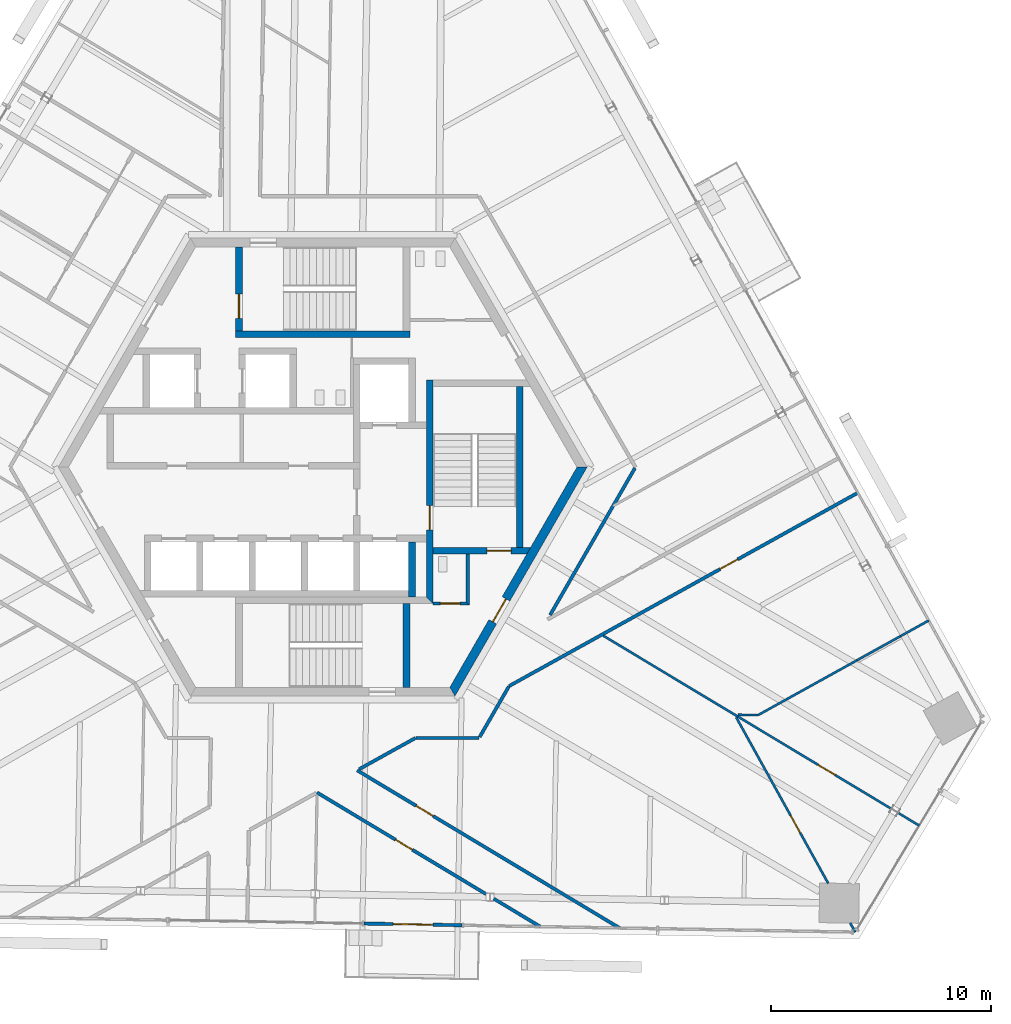
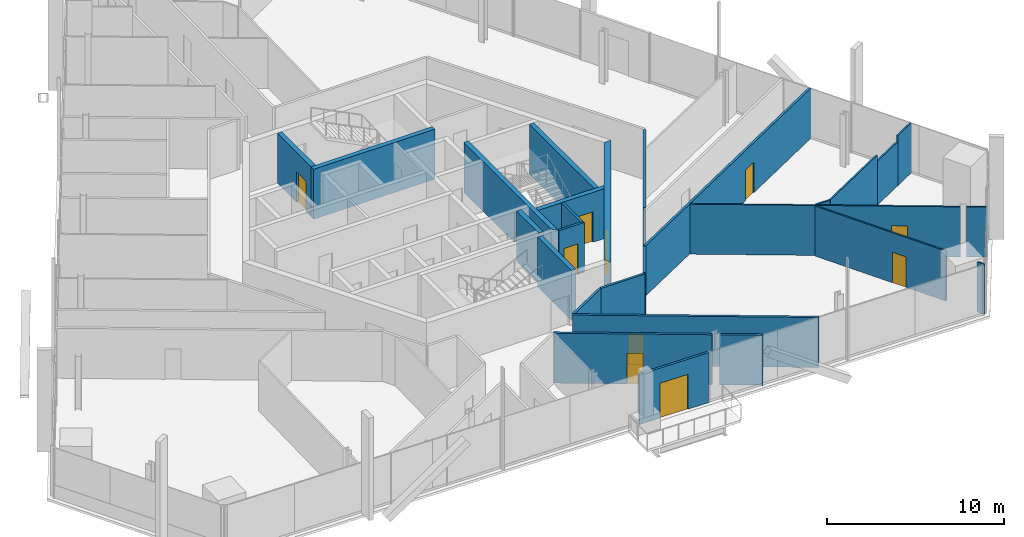
# One storey, part 13 of 21: 27 walls, 11 doors, 11 openings.
"""IFC4 building model written with IfcOpenShell, lengths in metres."""

from ifc_helpers import new_model, si_unit, direction, frame, frame_2d, origin, place, context, subcontext, project, spatial, polyline, rectangle, outline, extrude, source, transform, mapped, material, layer, layer_set, type_object, element, fill, save


model = new_model("IFC4")

# Units and contexts
model_context = context("Model", 3, precision=1e-05, world=origin(), true_north=direction((0.0, 1.0)))
body_context = subcontext(model_context, "Body", "Model", "MODEL_VIEW")
ifc_project = project(units=[si_unit("LENGTHUNIT", "METRE"), si_unit("AREAUNIT", "SQUARE_METRE"), si_unit("VOLUMEUNIT", "CUBIC_METRE"), si_unit("PLANEANGLEUNIT", "RADIAN"), si_unit("MASSUNIT", "GRAM", prefix="KILO")], contexts=[model_context])

# Site, building, storey
site_placement = place(None, origin())
site = spatial("IfcSite", under=ifc_project, at=site_placement, CompositionType="ELEMENT")
building_placement = place(site_placement, origin())
building = spatial("IfcBuilding", under=site, at=building_placement, Name="Triune Harvest Tower", CompositionType="ELEMENT")
storey_placement = place(building_placement, frame((0.0, 0.0, 187.10009765625)))
storey = spatial("IfcBuildingStorey", under=building, at=storey_placement, Name="L48", CompositionType="ELEMENT", Elevation=187.10009765625)

# Wall, opening, door
ifc_material_1 = material(Name="Gypsum board on steel studs", Category="steel")
ifc_layer_1 = layer(ifc_material_1, 0.10009765625)
ifc_layer_set_1 = layer_set([ifc_layer_1], Name="Gypsum board on steel studs")
wall_type_1 = type_object("IfcWallType", Name="Partition 100 mm", PredefinedType="PARTITIONING", material=ifc_layer_set_1)
wall_1_placement = place(storey_placement, frame((18.767333984375, -11.359130859375, 0.0), z_axis=(0.0, 0.0, 1.0), x_axis=(0.484802312537, -0.874623757829, 0.0)))
wall_1 = element("IfcWall", 1, at=wall_1_placement, inside=storey, type_object=wall_type_1, Name="Partition L48 002", PredefinedType="PARTITIONING", context=body_context, shape_type="SweptSolid", body=[
    extrude(rectangle(XDim=8.6083984375, YDim=0.10009765625, at=frame_2d((4.30419921875, 0.0))), origin(), (0.0, 0.0, 1.0), 3.43994140625),
])
opening_1_placement = place(wall_1_placement, frame((5.090087890625, 0.0, 0.0)))
opening_1 = element("IfcOpeningElement", 2, at=opening_1_placement, cuts=wall_1, Name="Opening L48-025", PredefinedType="OPENING", context=body_context, shape_type="SweptSolid", body=[
    extrude(rectangle(XDim=0.89990234375, YDim=2.10009765625, at=frame_2d((0.449951171875, 1.050048828125))), frame((0.0, 0.06005859375, 0.0), z_axis=(0.0, -1.0, 0.0), x_axis=(1.0, 0.0, 0.0)), (0.0, 0.0, 1.0), 0.1201171875),
])
ifc_material_2 = material(Name="Timber and steel door set", Category="steel")
door_type_1 = type_object("IfcDoorType", Name="Single leaf door right hand 900 x 2100", OperationType="SINGLE_SWING_RIGHT", PredefinedType="DOOR", material=ifc_material_2)
door_1_placement = place(opening_1_placement, origin())
door_1 = element("IfcDoor", 3, at=door_1_placement, inside=storey, type_object=door_type_1, Name="Door L48-025 Meeting Room 48.25", OperationType="SINGLE_SWING_RIGHT", OverallHeight=2.10009765625, OverallWidth=0.89990234375, PredefinedType="DOOR", context=body_context, shape_type="SweptSolid", body=[
    extrude(rectangle(XDim=0.89990234375, YDim=2.10009765625, at=frame_2d((0.449951171875, 1.050048828125))), frame((0.0, 0.02490234375, 0.0), z_axis=(0.0, -1.0, 0.0), x_axis=(1.0, 0.0, 0.0)), (0.0, 0.0, 1.0), 0.050048828125),
])
fill(opening_1, door_1)

# Walls
wall_2_placement = place(storey_placement, frame((23.93701171875, -20.685791015625, 0.0), z_axis=(0.0, 0.0, 1.0), x_axis=(0.484903678258, -0.87456756332, 0.0)))
element("IfcWall", 4, at=wall_2_placement, inside=storey, type_object=wall_type_1, Name="Partition L48 003", PredefinedType="PARTITIONING", context=body_context, shape_type="SweptSolid", body=[
    extrude(rectangle(XDim=0.476806640625, YDim=0.10009765625, at=frame_2d((0.23828125, 0.0))), origin(), (0.0, 0.0, 1.0), 3.43994140625),
])
wall_3_placement = place(storey_placement, frame((18.85009765625, -11.23876953125, 0.0), z_axis=(0.0, 0.0, 1.0), x_axis=(0.999846804146, -0.017503377934, 0.0)))
element("IfcWall", 5, at=wall_3_placement, inside=storey, type_object=wall_type_1, Name="Partition L48 029", PredefinedType="PARTITIONING", context=body_context, shape_type="SweptSolid", body=[
    extrude(rectangle(XDim=0.90673828125, YDim=0.10009765625, at=frame_2d((0.453369140625, 0.0))), origin(), (0.0, 0.0, 1.0), 3.43994140625),
])
wall_4_placement = place(storey_placement, frame((19.756591796875, -11.254638671875, 0.0), z_axis=(0.0, 0.0, 1.0), x_axis=(0.874623521751, 0.484802738442, 0.0)))
element("IfcWall", 6, at=wall_4_placement, inside=storey, type_object=wall_type_1, Name="Partition L48 034", PredefinedType="PARTITIONING", context=body_context, shape_type="SweptSolid", body=[
    extrude(rectangle(XDim=5.133056640625, YDim=0.10009765625, at=frame_2d((2.56640625, 0.0))), origin(), (0.0, 0.0, 1.0), 3.43994140625),
])
wall_5_placement = place(storey_placement, frame((24.24609375, -8.76611328125, 0.0), z_axis=(0.0, 0.0, 1.0), x_axis=(0.874639585413, 0.484773757157, 0.0)))
element("IfcWall", 7, at=wall_5_placement, inside=storey, type_object=wall_type_1, Name="Partition L48 034a", PredefinedType="PARTITIONING", context=body_context, shape_type="SweptSolid", body=[
    extrude(rectangle(XDim=2.266357421875, YDim=0.10009765625, at=frame_2d((1.13330078125, 0.0))), origin(), (0.0, 0.0, 1.0), 3.023193359375),
])

# Wall, opening, door
ifc_material_3 = material(Name="Concrete 70 MPa", Category="concrete")
ifc_layer_2 = layer(ifc_material_3, 0.39990234375)
ifc_layer_set_2 = layer_set([ifc_layer_2], Name="Concrete 70 MPa")
wall_type_2 = type_object("IfcWallType", Name="Core wall 400", PredefinedType="SHEAR", material=ifc_layer_set_2)
shared_shape_1 = source(origin(), body_context, "Body", "SweptSolid", [
    extrude(outline(polyline([(-0.115478515625, -0.199951171875), (11.884521484375, -0.199951171875), (11.653564453125, 0.199951171875), (0.115478515625, 0.199951171875), (-0.115478515625, -0.199951171875)])), origin(), (0.0, 0.0, 1.0), 3.43994140625),
])
wall_6_placement = place(storey_placement, frame((5.884521484375, -10.1923828125, 0.0), z_axis=(0.0, 0.0, 1.0), x_axis=(0.499996592174, 0.866027371285, 0.0)))
wall_6 = element("IfcWall", 8, at=wall_6_placement, inside=storey, type_object=wall_type_2, Name="Hexagon 5 wall", PredefinedType="SHEAR", context=body_context, shape_type="MappedRepresentation", body=[
    mapped(shared_shape_1, transform((0.0, 0.0, 0.0), scale=1.0)),
])
opening_2_placement = place(wall_6_placement, frame((3.66455078125, 0.0, 0.0)))
opening_2 = element("IfcOpeningElement", 9, at=opening_2_placement, cuts=wall_6, Name="Opening CD-DP", PredefinedType="OPENING", context=body_context, shape_type="SweptSolid", body=[
    extrude(rectangle(XDim=1.199951171875, YDim=2.10009765625, at=frame_2d((0.60009765625, 1.050048828125))), frame((0.0, 0.2099609375, 0.0), z_axis=(0.0, -1.0, 0.0), x_axis=(1.0, 0.0, 0.0)), (0.0, 0.0, 1.0), 0.419921875),
])
ifc_material_4 = material(Name="Steel S235", Category="steel")
door_type_2 = type_object("IfcDoorType", Name="Stair door 1200 FD120", OperationType="SINGLE_SWING_LEFT", PredefinedType="DOOR", material=ifc_material_4)
door_2_placement = place(opening_2_placement, frame((1.199951171875, 0.0, 0.0), z_axis=(0.0, 0.0, 1.0), x_axis=(-1.0, 0.0, 0.0)))
door_2 = element("IfcDoor", 10, at=door_2_placement, inside=storey, type_object=door_type_2, Name="Door CD-DP", OperationType="SINGLE_SWING_RIGHT", OverallHeight=2.10009765625, OverallWidth=1.199951171875, PredefinedType="DOOR", context=body_context, shape_type="SweptSolid", body=[
    extrude(rectangle(XDim=1.199951171875, YDim=2.10009765625, at=frame_2d((0.60009765625, 1.050048828125))), frame((0.0, 0.02490234375, 0.0), z_axis=(0.0, -1.0, 0.0), x_axis=(1.0, 0.0, 0.0)), (0.0, 0.0, 1.0), 0.050048828125),
])
fill(opening_2, door_2)

# Wall
ifc_material_5 = material(Name="Concrete 70 MPa", Category="concrete")
ifc_layer_3 = layer(ifc_material_5, 0.300048828125)
ifc_layer_set_3 = layer_set([ifc_layer_3], Name="Concrete 70 MPa")
wall_type_3 = type_object("IfcWallType", Name="Core wall 300", PredefinedType="SHEAR", material=ifc_layer_set_3)
shared_shape_2 = source(origin(), body_context, "Body", "SweptSolid", [
    extrude(rectangle(XDim=2.5, YDim=0.300048828125, at=frame_2d((1.25, 0.0))), origin(), (0.0, 0.0, 1.0), 3.43994140625),
])
wall_7_placement = place(storey_placement, frame((4.050048828125, -5.889892578125, 0.0), z_axis=(0.0, 0.0, 1.0), x_axis=(0.0, 1.0, 0.0)))
element("IfcWall", 11, at=wall_7_placement, inside=storey, type_object=wall_type_3, Name="Ff2 east wall", PredefinedType="SHEAR", context=body_context, shape_type="MappedRepresentation", body=[
    mapped(shared_shape_2, transform((0.0, 0.0, 0.0), scale=1.0)),
])

# Wall, opening, door
shared_shape_3 = source(origin(), body_context, "Body", "SweptSolid", [
    extrude(outline(polyline([(-0.14990234375, -0.14990234375), (9.989990234375, -0.14990234375), (9.989990234375, 0.14990234375), (0.14990234375, 0.14990234375), (-0.14990234375, -0.14990234375)])), origin(), (0.0, 0.0, 1.0), 3.43994140625),
])
wall_8_placement = place(storey_placement, frame((4.85009765625, -6.0400390625, 0.0), z_axis=(0.0, 0.0, 1.0), x_axis=(0.0, 1.0, 0.0)))
wall_8 = element("IfcWall", 12, at=wall_8_placement, inside=storey, type_object=wall_type_3, Name="Stair e west wall", PredefinedType="SHEAR", context=body_context, shape_type="MappedRepresentation", body=[
    mapped(shared_shape_3, transform((0.0, 0.0, 0.0), scale=1.0)),
])
opening_3_placement = place(wall_8_placement, frame((3.18994140625, 0.0, 0.0)))
opening_3 = element("IfcOpeningElement", 13, at=opening_3_placement, cuts=wall_8, Name="Opening CD-S3L", PredefinedType="OPENING", context=body_context, shape_type="SweptSolid", body=[
    extrude(rectangle(XDim=1.10009765625, YDim=2.10009765625, at=frame_2d((0.550048828125, 1.050048828125))), frame((0.0, 0.16015625, 0.0), z_axis=(0.0, -1.0, 0.0), x_axis=(1.0, 0.0, 0.0)), (0.0, 0.0, 1.0), 0.320068359375),
])
ifc_material_6 = material(Name="Steel S235", Category="steel")
door_type_3 = type_object("IfcDoorType", Name="Stair door 1100 FD120", OperationType="SINGLE_SWING_LEFT", PredefinedType="DOOR", material=ifc_material_6)
door_3_placement = place(opening_3_placement, frame((1.10009765625, 0.0, 0.0), z_axis=(0.0, 0.0, 1.0), x_axis=(-1.0, 0.0, 0.0)))
door_3 = element("IfcDoor", 14, at=door_3_placement, inside=storey, type_object=door_type_3, Name="Door CD-S3L", OperationType="SINGLE_SWING_RIGHT", OverallHeight=2.10009765625, OverallWidth=1.10009765625, PredefinedType="DOOR", context=body_context, shape_type="SweptSolid", body=[
    extrude(rectangle(XDim=1.10009765625, YDim=2.10009765625, at=frame_2d((0.550048828125, 1.050048828125))), frame((0.0, 0.02490234375, 0.0), z_axis=(0.0, -1.0, 0.0), x_axis=(1.0, 0.0, 0.0)), (0.0, 0.0, 1.0), 0.050048828125),
])
fill(opening_3, door_3)

shared_shape_4 = source(origin(), body_context, "Body", "SweptSolid", [
    extrude(outline(polyline([(0.0, -0.14990234375), (0.0, 0.14990234375), (4.43310546875, 0.14990234375), (4.260009765625, -0.14990234375), (0.0, -0.14990234375)])), origin(), (0.0, 0.0, 1.0), 3.43994140625),
])
wall_9_placement = place(storey_placement, frame((5.0, -3.800048828125, 0.0), z_axis=(0.0, 0.0, 1.0), x_axis=(1.0, 0.0, 0.0)))
wall_9 = element("IfcWall", 15, at=wall_9_placement, inside=storey, type_object=wall_type_3, Name="Stair e south wall", PredefinedType="SHEAR", context=body_context, shape_type="MappedRepresentation", body=[
    mapped(shared_shape_4, transform((0.0, 0.0, 0.0), scale=1.0)),
])
opening_4_placement = place(wall_9_placement, frame((2.449951171875, 0.0, 0.0)))
opening_4 = element("IfcOpeningElement", 16, at=opening_4_placement, cuts=wall_9, Name="Opening CD-S3D", PredefinedType="OPENING", context=body_context, shape_type="SweptSolid", body=[
    extrude(rectangle(XDim=1.10009765625, YDim=2.10009765625, at=frame_2d((0.550048828125, 1.050048828125))), frame((0.0, 0.16015625, 0.0), z_axis=(0.0, -1.0, 0.0), x_axis=(1.0, 0.0, 0.0)), (0.0, 0.0, 1.0), 0.320068359375),
])
door_4_placement = place(opening_4_placement, frame((1.10009765625, 0.0, 0.0), z_axis=(0.0, 0.0, 1.0), x_axis=(-1.0, 0.0, 0.0)))
door_4 = element("IfcDoor", 17, at=door_4_placement, inside=storey, type_object=door_type_3, Name="Door CD-S3D", OperationType="SINGLE_SWING_RIGHT", OverallHeight=2.10009765625, OverallWidth=1.10009765625, PredefinedType="DOOR", context=body_context, shape_type="SweptSolid", body=[
    extrude(rectangle(XDim=1.10009765625, YDim=2.10009765625, at=frame_2d((0.550048828125, 1.050048828125))), frame((0.0, 0.02490234375, 0.0), z_axis=(0.0, -1.0, 0.0), x_axis=(1.0, 0.0, 0.0)), (0.0, 0.0, 1.0), 0.050048828125),
])
fill(opening_4, door_4)

# Walls
shared_shape_5 = source(origin(), body_context, "Body", "SweptSolid", [
    extrude(rectangle(XDim=7.2998046875, YDim=0.300048828125, at=frame_2d((3.64990234375, 0.0))), origin(), (0.0, 0.0, 1.0), 3.43994140625),
])
wall_10_placement = place(storey_placement, frame((8.949951171875, -3.64990234375, 0.0), z_axis=(0.0, 0.0, 1.0), x_axis=(0.0, 1.0, 0.0)))
element("IfcWall", 18, at=wall_10_placement, inside=storey, type_object=wall_type_3, Name="Stair e east wall", PredefinedType="SHEAR", context=body_context, shape_type="MappedRepresentation", body=[
    mapped(shared_shape_5, transform((0.0, 0.0, 0.0), scale=1.0)),
])
shared_shape_6 = source(origin(), body_context, "Body", "SweptSolid", [
    extrude(rectangle(XDim=7.89990234375, YDim=0.300048828125, at=frame_2d((3.949951171875, 0.0))), origin(), (0.0, 0.0, 1.0), 3.43994140625),
])
wall_11_placement = place(storey_placement, frame((-3.949951171875, 6.0400390625, 0.0), z_axis=(0.0, 0.0, 1.0), x_axis=(1.0, 0.0, 0.0)))
element("IfcWall", 19, at=wall_11_placement, inside=storey, type_object=wall_type_3, Name="Stair n south wall", PredefinedType="SHEAR", context=body_context, shape_type="MappedRepresentation", body=[
    mapped(shared_shape_6, transform((0.0, 0.0, 0.0), scale=1.0)),
])

# Wall, opening, door
shared_shape_7 = source(origin(), body_context, "Body", "SweptSolid", [
    extrude(outline(polyline([(0.0, -0.14990234375), (0.0, 0.14990234375), (3.80419921875, 0.14990234375), (3.80419921875, -0.14990234375), (0.0, -0.14990234375)])), origin(), (0.0, 0.0, 1.0), 3.43994140625),
])
wall_12_placement = place(storey_placement, frame((-3.800048828125, 6.18994140625, 0.0), z_axis=(0.0, 0.0, 1.0), x_axis=(0.0, 1.0, 0.0)))
wall_12 = element("IfcWall", 20, at=wall_12_placement, inside=storey, type_object=wall_type_3, Name="Stair n west wall", PredefinedType="SHEAR", context=body_context, shape_type="MappedRepresentation", body=[
    mapped(shared_shape_7, transform((0.0, 0.0, 0.0), scale=1.0)),
])
opening_5_placement = place(wall_12_placement, frame((0.56005859375, 0.0, 0.0)))
opening_5 = element("IfcOpeningElement", 21, at=opening_5_placement, cuts=wall_12, Name="Opening CD-S1L", PredefinedType="OPENING", context=body_context, shape_type="SweptSolid", body=[
    extrude(rectangle(XDim=1.10009765625, YDim=2.10009765625, at=frame_2d((0.550048828125, 1.050048828125))), frame((0.0, 0.16015625, 0.0), z_axis=(0.0, -1.0, 0.0), x_axis=(1.0, 0.0, 0.0)), (0.0, 0.0, 1.0), 0.320068359375),
])
door_5_placement = place(opening_5_placement, frame((1.10009765625, 0.0, 0.0), z_axis=(0.0, 0.0, 1.0), x_axis=(-1.0, 0.0, 0.0)))
door_5 = element("IfcDoor", 22, at=door_5_placement, inside=storey, type_object=door_type_3, Name="Door CD-S1L", OperationType="SINGLE_SWING_RIGHT", OverallHeight=2.10009765625, OverallWidth=1.10009765625, PredefinedType="DOOR", context=body_context, shape_type="SweptSolid", body=[
    extrude(rectangle(XDim=1.10009765625, YDim=2.10009765625, at=frame_2d((0.550048828125, 1.050048828125))), frame((0.0, 0.02490234375, 0.0), z_axis=(0.0, -1.0, 0.0), x_axis=(1.0, 0.0, 0.0)), (0.0, 0.0, 1.0), 0.050048828125),
])
fill(opening_5, door_5)

# Wall
shared_shape_8 = source(origin(), body_context, "Body", "SweptSolid", [
    extrude(outline(polyline([(3.800048828125, -0.14990234375), (-0.00439453125, -0.14990234375), (-0.00439453125, 0.14990234375), (3.800048828125, 0.14990234375), (3.800048828125, -0.14990234375)])), origin(), (0.0, 0.0, 1.0), 3.43994140625),
])
wall_13_placement = place(storey_placement, frame((3.800048828125, -9.989990234375, 0.0), z_axis=(0.0, 0.0, 1.0), x_axis=(0.0, 1.0, 0.0)))
element("IfcWall", 23, at=wall_13_placement, inside=storey, type_object=wall_type_3, Name="Stair s east wall", PredefinedType="SHEAR", context=body_context, shape_type="MappedRepresentation", body=[
    mapped(shared_shape_8, transform((0.0, 0.0, 0.0), scale=1.0)),
])

# Wall, opening, door
ifc_material_7 = material(Name="Concrete masonry unit", Category="masonry")
ifc_layer_4 = layer(ifc_material_7, 0.14990234375)
ifc_layer_set_4 = layer_set([ifc_layer_4], Name="Concrete masonry unit")
wall_type_4 = type_object("IfcWallType", Name="Block partition 150 unrated", PredefinedType="PARTITIONING", material=ifc_layer_set_4)
shared_shape_9 = source(origin(), body_context, "Body", "SweptSolid", [
    extrude(outline(polyline([(0.0, -0.074951171875), (1.64990234375, -0.074951171875), (1.5, 0.074951171875), (0.0, 0.074951171875), (0.0, -0.074951171875)])), origin(), (0.0, 0.0, 1.0), 3.43994140625),
])
wall_14_placement = place(storey_placement, frame((5.0, -6.18994140625, 0.0), z_axis=(0.0, 0.0, 1.0), x_axis=(1.0, 0.0, 0.0)))
wall_14 = element("IfcWall", 24, at=wall_14_placement, inside=storey, type_object=wall_type_4, Name="Wc acc south wall", PredefinedType="PARTITIONING", context=body_context, shape_type="MappedRepresentation", body=[
    mapped(shared_shape_9, transform((0.0, 0.0, 0.0), scale=1.0)),
])
opening_6_placement = place(wall_14_placement, frame((0.33740234375, 0.0, 0.0)))
opening_6 = element("IfcOpeningElement", 25, at=opening_6_placement, cuts=wall_14, Name="Opening CD-WA", PredefinedType="OPENING", context=body_context, shape_type="SweptSolid", body=[
    extrude(rectangle(XDim=0.89990234375, YDim=2.10009765625, at=frame_2d((0.449951171875, 1.050048828125))), frame((0.0, 0.0849609375, 0.0), z_axis=(0.0, -1.0, 0.0), x_axis=(1.0, 0.0, 0.0)), (0.0, 0.0, 1.0), 0.169921875),
])
ifc_material_8 = material(Name="Timber C24", Category="wood")
door_type_4 = type_object("IfcDoorType", Name="WC door 900", OperationType="SINGLE_SWING_LEFT", PredefinedType="DOOR", material=ifc_material_8)
door_6_placement = place(opening_6_placement, origin())
door_6 = element("IfcDoor", 26, at=door_6_placement, inside=storey, type_object=door_type_4, Name="Door CD-WA", OperationType="SINGLE_SWING_LEFT", OverallHeight=2.10009765625, OverallWidth=0.89990234375, PredefinedType="DOOR", context=body_context, shape_type="SweptSolid", body=[
    extrude(rectangle(XDim=0.89990234375, YDim=2.10009765625, at=frame_2d((0.449951171875, 1.050048828125))), frame((0.0, 0.02490234375, 0.0), z_axis=(0.0, -1.0, 0.0), x_axis=(1.0, 0.0, 0.0)), (0.0, 0.0, 1.0), 0.050048828125),
])
fill(opening_6, door_6)

# Wall
shared_shape_10 = source(origin(), body_context, "Body", "SweptSolid", [
    extrude(outline(polyline([(-0.074951171875, -0.074951171875), (2.239990234375, -0.074951171875), (2.239990234375, 0.074951171875), (0.074951171875, 0.074951171875), (-0.074951171875, -0.074951171875)])), origin(), (0.0, 0.0, 1.0), 3.43994140625),
])
wall_15_placement = place(storey_placement, frame((6.574951171875, -6.18994140625, 0.0), z_axis=(0.0, 0.0, 1.0), x_axis=(0.0, 1.0, 0.0)))
element("IfcWall", 27, at=wall_15_placement, inside=storey, type_object=wall_type_4, Name="Wc acc east wall", PredefinedType="PARTITIONING", context=body_context, shape_type="MappedRepresentation", body=[
    mapped(shared_shape_10, transform((0.0, 0.0, 0.0), scale=1.0)),
])

# Wall, opening, door
ifc_material_9 = material(Name="Aluminium bronze anodised", Category="aluminium")
ifc_layer_5 = layer(ifc_material_9, 0.14990234375)
ifc_layer_set_5 = layer_set([ifc_layer_5], Name="Aluminium bronze anodised")
wall_type_5 = type_object("IfcWallType", Name="WW-2 balcony window wall", PredefinedType="ELEMENTEDWALL", material=ifc_layer_set_5)
shared_shape_11 = source(origin(), body_context, "Body", "SweptSolid", [
    extrude(rectangle(XDim=4.460693359375, YDim=0.14990234375, at=frame_2d((2.23046875, 0.0))), origin(), (0.0, 0.0, 1.0), 3.43994140625),
])
wall_16_placement = place(storey_placement, frame((6.3291015625, -20.790771484375, 0.0), z_axis=(0.0, 0.0, 1.0), x_axis=(-0.999847570138, 0.017459567269, 0.0)))
wall_16 = element("IfcWall", 28, at=wall_16_placement, inside=storey, type_object=wall_type_5, Name="WW-2 B5-F5 L48.7", PredefinedType="ELEMENTEDWALL", context=body_context, shape_type="MappedRepresentation", body=[
    mapped(shared_shape_11, transform((0.0, 0.0, 0.0), scale=1.0)),
])
opening_7_placement = place(wall_16_placement, frame((1.330322265625, 0.0, 0.0)))
opening_7 = element("IfcOpeningElement", 29, at=opening_7_placement, cuts=wall_16, Name="Opening L48-E02", PredefinedType="OPENING", context=body_context, shape_type="SweptSolid", body=[
    extrude(rectangle(XDim=1.800048828125, YDim=2.39990234375, at=frame_2d((0.89990234375, 1.199951171875))), frame((0.0, 0.0849609375, 0.0), z_axis=(0.0, -1.0, 0.0), x_axis=(1.0, 0.0, 0.0)), (0.0, 0.0, 1.0), 0.169921875),
])
ifc_material_10 = material(Name="Glass", Category="glass")
door_type_5 = type_object("IfcDoorType", Name="DB-1 balcony door 1800 x 2400", OperationType="DOUBLE_DOOR_SINGLE_SWING", PredefinedType="DOOR", material=ifc_material_10)
door_7_placement = place(opening_7_placement, origin())
door_7 = element("IfcDoor", 30, at=door_7_placement, inside=storey, type_object=door_type_5, Name="Door L48-E02", OperationType="DOUBLE_DOOR_SINGLE_SWING", OverallHeight=2.39990234375, OverallWidth=1.800048828125, PredefinedType="DOOR", context=body_context, shape_type="SweptSolid", body=[
    extrude(rectangle(XDim=1.800048828125, YDim=2.39990234375, at=frame_2d((0.89990234375, 1.199951171875))), frame((0.0, 0.02490234375, 0.0), z_axis=(0.0, -1.0, 0.0), x_axis=(1.0, 0.0, 0.0)), (0.0, 0.0, 1.0), 0.050048828125),
])
fill(opening_7, door_7)

ifc_material_11 = material(Name="Gypsum board on steel studs", Category="steel")
ifc_layer_6 = layer(ifc_material_11, 0.14990234375)
ifc_layer_set_6 = layer_set([ifc_layer_6], Name="Gypsum board on steel studs")
wall_type_6 = type_object("IfcWallType", Name="Fire Partition 150 mm", PredefinedType="PARTITIONING", material=ifc_layer_set_6)
shared_shape_12 = source(origin(), body_context, "Body", "SweptSolid", [
    extrude(rectangle(XDim=8.951171875, YDim=0.14990234375, at=frame_2d((4.4755859375, 0.0))), origin(), (0.0, 0.0, 1.0), 3.43994140625),
])
wall_17_placement = place(storey_placement, frame((-0.2578125, -14.767333984375, 0.0), z_axis=(0.0, 0.0, 1.0), x_axis=(0.857170270936, -0.515033131578, 0.0)))
wall_17 = element("IfcWall", 31, at=wall_17_placement, inside=storey, type_object=wall_type_6, Name="Partition L48 008", PredefinedType="PARTITIONING", context=body_context, shape_type="MappedRepresentation", body=[
    mapped(shared_shape_12, transform((0.0, 0.0, 0.0), scale=1.0)),
])
opening_8_placement = place(wall_17_placement, frame((4.14990234375, 0.0, 0.0)))
opening_8 = element("IfcOpeningElement", 32, at=opening_8_placement, cuts=wall_17, Name="Opening L48-023", PredefinedType="OPENING", context=body_context, shape_type="SweptSolid", body=[
    extrude(rectangle(XDim=0.89990234375, YDim=2.10009765625, at=frame_2d((0.449951171875, 1.050048828125))), frame((0.0, 0.0849609375, 0.0), z_axis=(0.0, -1.0, 0.0), x_axis=(1.0, 0.0, 0.0)), (0.0, 0.0, 1.0), 0.169921875),
])
ifc_material_12 = material(Name="Timber and steel door set", Category="steel")
door_type_6 = type_object("IfcDoorType", Name="Single leaf door FD30 left hand 900 x 2100", OperationType="SINGLE_SWING_LEFT", PredefinedType="DOOR", material=ifc_material_12)
door_8_placement = place(opening_8_placement, origin())
door_8 = element("IfcDoor", 33, at=door_8_placement, inside=storey, type_object=door_type_6, Name="Door L48-023 Dry Store Room 48.23", OperationType="SINGLE_SWING_LEFT", OverallHeight=2.10009765625, OverallWidth=0.89990234375, PredefinedType="DOOR", context=body_context, shape_type="SweptSolid", body=[
    extrude(rectangle(XDim=0.89990234375, YDim=2.10009765625, at=frame_2d((0.449951171875, 1.050048828125))), frame((0.0, 0.02490234375, 0.0), z_axis=(0.0, -1.0, 0.0), x_axis=(1.0, 0.0, 0.0)), (0.0, 0.0, 1.0), 0.050048828125),
])
fill(opening_8, door_8)

# Wall
shared_shape_13 = source(origin(), body_context, "Body", "SweptSolid", [
    extrude(rectangle(XDim=2.458740234375, YDim=0.14990234375, at=frame_2d((1.2294921875, 0.0))), origin(), (0.0, 0.0, 1.0), 3.43994140625),
])
wall_18_placement = place(storey_placement, frame((7.761962890625, -19.586181640625, 0.0), z_axis=(0.0, 0.0, 1.0), x_axis=(0.857177370327, -0.515021315868, 0.0)))
element("IfcWall", 34, at=wall_18_placement, inside=storey, type_object=wall_type_6, Name="Partition L48 009", PredefinedType="PARTITIONING", context=body_context, shape_type="MappedRepresentation", body=[
    mapped(shared_shape_13, transform((0.0, 0.0, 0.0), scale=1.0)),
])

# Wall, opening, door
shared_shape_14 = source(origin(), body_context, "Body", "SweptSolid", [
    extrude(rectangle(XDim=13.893310546875, YDim=0.14990234375, at=frame_2d((6.94677734375, 0.0))), origin(), (0.0, 0.0, 1.0), 3.43994140625),
])
wall_19_placement = place(storey_placement, frame((1.56005859375, -13.759765625, 0.0), z_axis=(0.0, 0.0, 1.0), x_axis=(0.857170249707, -0.515033166909, 0.0)))
wall_19 = element("IfcWall", 35, at=wall_19_placement, inside=storey, type_object=wall_type_6, Name="Partition L48 011", PredefinedType="PARTITIONING", context=body_context, shape_type="MappedRepresentation", body=[
    mapped(shared_shape_14, transform((0.0, 0.0, 0.0), scale=1.0)),
])
opening_9_placement = place(wall_19_placement, frame((3.125, 0.0, 0.0)))
opening_9 = element("IfcOpeningElement", 36, at=opening_9_placement, cuts=wall_19, Name="Opening L48-024", PredefinedType="OPENING", context=body_context, shape_type="SweptSolid", body=[
    extrude(rectangle(XDim=0.89990234375, YDim=2.10009765625, at=frame_2d((0.449951171875, 1.050048828125))), frame((0.0, 0.0849609375, 0.0), z_axis=(0.0, -1.0, 0.0), x_axis=(1.0, 0.0, 0.0)), (0.0, 0.0, 1.0), 0.169921875),
])
door_9_placement = place(opening_9_placement, origin())
door_9 = element("IfcDoor", 37, at=door_9_placement, inside=storey, type_object=door_type_6, Name="Door L48-024 Open Office 48.24", OperationType="SINGLE_SWING_LEFT", OverallHeight=2.10009765625, OverallWidth=0.89990234375, PredefinedType="DOOR", context=body_context, shape_type="SweptSolid", body=[
    extrude(rectangle(XDim=0.89990234375, YDim=2.10009765625, at=frame_2d((0.449951171875, 1.050048828125))), frame((0.0, 0.02490234375, 0.0), z_axis=(0.0, -1.0, 0.0), x_axis=(1.0, 0.0, 0.0)), (0.0, 0.0, 1.0), 0.050048828125),
])
fill(opening_9, door_9)

# Wall
shared_shape_15 = source(origin(), body_context, "Body", "SweptSolid", [
    extrude(rectangle(XDim=1.13037109375, YDim=0.10009765625, at=frame_2d((0.565185546875, 0.0))), origin(), (0.0, 0.0, 1.0), 3.43994140625),
])
wall_20_placement = place(storey_placement, frame((26.104736328125, -15.685302734375, 0.0), z_axis=(0.0, 0.0, 1.0), x_axis=(0.857149738065, -0.515067302919, 0.0)))
element("IfcWall", 38, at=wall_20_placement, inside=storey, type_object=wall_type_1, Name="Partition L48 018", PredefinedType="PARTITIONING", context=body_context, shape_type="MappedRepresentation", body=[
    mapped(shared_shape_15, transform((0.0, 0.0, 0.0), scale=1.0)),
])

# Wall, opening, door
shared_shape_16 = source(origin(), body_context, "Body", "SweptSolid", [
    extrude(rectangle(XDim=15.251953125, YDim=0.10009765625, at=frame_2d((7.6259765625, 0.0))), origin(), (0.0, 0.0, 1.0), 3.43994140625),
])
wall_21_placement = place(storey_placement, frame((12.737060546875, -7.6533203125, 0.0), z_axis=(0.0, 0.0, 1.0), x_axis=(0.857170730104, -0.515032367385, 0.0)))
wall_21 = element("IfcWall", 39, at=wall_21_placement, inside=storey, type_object=wall_type_1, Name="Partition L48 017", PredefinedType="PARTITIONING", context=body_context, shape_type="MappedRepresentation", body=[
    mapped(shared_shape_16, transform((0.0, 0.0, 0.0), scale=1.0)),
])
opening_10_placement = place(wall_21_placement, frame((11.37548828125, 0.0, 0.0)))
opening_10 = element("IfcOpeningElement", 40, at=opening_10_placement, cuts=wall_21, Name="Opening L48-026", PredefinedType="OPENING", context=body_context, shape_type="SweptSolid", body=[
    extrude(rectangle(XDim=0.89990234375, YDim=2.10009765625, at=frame_2d((0.449951171875, 1.050048828125))), frame((0.0, 0.06005859375, 0.0), z_axis=(0.0, -1.0, 0.0), x_axis=(1.0, 0.0, 0.0)), (0.0, 0.0, 1.0), 0.1201171875),
])
door_10_placement = place(opening_10_placement, origin())
door_10 = element("IfcDoor", 41, at=door_10_placement, inside=storey, type_object=door_type_1, Name="Door L48-026 Pantry 48.26", OperationType="SINGLE_SWING_RIGHT", OverallHeight=2.10009765625, OverallWidth=0.89990234375, PredefinedType="DOOR", context=body_context, shape_type="SweptSolid", body=[
    extrude(rectangle(XDim=0.89990234375, YDim=2.10009765625, at=frame_2d((0.449951171875, 1.050048828125))), frame((0.0, 0.02490234375, 0.0), z_axis=(0.0, -1.0, 0.0), x_axis=(1.0, 0.0, 0.0)), (0.0, 0.0, 1.0), 0.050048828125),
])
fill(opening_10, door_10)

# Walls
shared_shape_17 = source(origin(), body_context, "Body", "SweptSolid", [
    extrude(rectangle(XDim=2.86962890625, YDim=0.14990234375, at=frame_2d((1.434814453125, 0.0))), origin(), (0.0, 0.0, 1.0), 3.43994140625),
])
wall_22_placement = place(storey_placement, frame((4.227294921875, -12.292236328125, 0.0), z_axis=(0.0, 0.0, 1.0), x_axis=(1.0, 0.0, 0.0)))
element("IfcWall", 42, at=wall_22_placement, inside=storey, type_object=wall_type_6, Name="Partition L48 031", PredefinedType="PARTITIONING", context=body_context, shape_type="MappedRepresentation", body=[
    mapped(shared_shape_17, transform((0.0, 0.0, 0.0), scale=1.0)),
])
shared_shape_18 = source(origin(), body_context, "Body", "SweptSolid", [
    extrude(rectangle(XDim=2.916748046875, YDim=0.14990234375, at=frame_2d((1.45849609375, 0.0))), origin(), (0.0, 0.0, 1.0), 3.43994140625),
])
wall_23_placement = place(storey_placement, frame((1.656494140625, -13.706298828125, 0.0), z_axis=(0.0, 0.0, 1.0), x_axis=(0.874618829719, 0.484811203152, 0.0)))
element("IfcWall", 43, at=wall_23_placement, inside=storey, type_object=wall_type_6, Name="Partition L48 038", PredefinedType="PARTITIONING", context=body_context, shape_type="MappedRepresentation", body=[
    mapped(shared_shape_18, transform((0.0, 0.0, 0.0), scale=1.0)),
])

# Wall, opening, door
shared_shape_19 = source(origin(), body_context, "Body", "SweptSolid", [
    extrude(rectangle(XDim=18.09814453125, YDim=0.14990234375, at=frame_2d((9.049072265625, 0.0))), origin(), (0.0, 0.0, 1.0), 3.43994140625),
])
wall_24_placement = place(storey_placement, frame((8.456787109375, -9.936767578125, 0.0), z_axis=(0.0, 0.0, 1.0), x_axis=(0.874617575563, 0.484813465692, 0.0)))
wall_24 = element("IfcWall", 44, at=wall_24_placement, inside=storey, type_object=wall_type_6, Name="Partition L48 039", PredefinedType="PARTITIONING", context=body_context, shape_type="MappedRepresentation", body=[
    mapped(shared_shape_19, transform((0.0, 0.0, 0.0), scale=1.0)),
])
opening_11_placement = place(wall_24_placement, frame((10.955810546875, 0.0, 0.0)))
opening_11 = element("IfcOpeningElement", 45, at=opening_11_placement, cuts=wall_24, Name="Opening L48-002", PredefinedType="OPENING", context=body_context, shape_type="SweptSolid", body=[
    extrude(rectangle(XDim=0.89990234375, YDim=2.10009765625, at=frame_2d((0.449951171875, 1.050048828125))), frame((0.0, 0.0849609375, 0.0), z_axis=(0.0, -1.0, 0.0), x_axis=(1.0, 0.0, 0.0)), (0.0, 0.0, 1.0), 0.169921875),
])
door_11_placement = place(opening_11_placement, origin())
door_11 = element("IfcDoor", 46, at=door_11_placement, inside=storey, type_object=door_type_6, Name="Door L48-002 Office 48.02", OperationType="SINGLE_SWING_LEFT", OverallHeight=2.10009765625, OverallWidth=0.89990234375, PredefinedType="DOOR", context=body_context, shape_type="SweptSolid", body=[
    extrude(rectangle(XDim=0.89990234375, YDim=2.10009765625, at=frame_2d((0.449951171875, 1.050048828125))), frame((0.0, 0.02490234375, 0.0), z_axis=(0.0, -1.0, 0.0), x_axis=(1.0, 0.0, 0.0)), (0.0, 0.0, 1.0), 0.050048828125),
])
fill(opening_11, door_11)

# Walls
shared_shape_20 = source(origin(), body_context, "Body", "SweptSolid", [
    extrude(rectangle(XDim=2.64990234375, YDim=0.14990234375, at=frame_2d((1.324951171875, 0.0))), origin(), (0.0, 0.0, 1.0), 3.43994140625),
])
wall_25_placement = place(storey_placement, frame((7.121826171875, -12.2490234375, 0.0), z_axis=(0.0, 0.0, 1.0), x_axis=(0.499993606316, 0.866029095148, 0.0)))
element("IfcWall", 47, at=wall_25_placement, inside=storey, type_object=wall_type_6, Name="Partition L48 047", PredefinedType="PARTITIONING", context=body_context, shape_type="MappedRepresentation", body=[
    mapped(shared_shape_20, transform((0.0, 0.0, 0.0), scale=1.0)),
])
shared_shape_21 = source(origin(), body_context, "Body", "SweptSolid", [
    extrude(rectangle(XDim=7.69921875, YDim=0.14990234375, at=frame_2d((3.849609375, 0.0))), origin(), (0.0, 0.0, 1.0), 3.43994140625),
])
wall_26_placement = place(storey_placement, frame((10.3193359375, -6.7109375, 0.0), z_axis=(0.0, 0.0, 1.0), x_axis=(0.49999968603, 0.866025585055, 0.0)))
element("IfcWall", 48, at=wall_26_placement, inside=storey, type_object=wall_type_6, Name="Partition L48 048", PredefinedType="PARTITIONING", context=body_context, shape_type="MappedRepresentation", body=[
    mapped(shared_shape_21, transform((0.0, 0.0, 0.0), scale=1.0)),
])
shared_shape_22 = source(origin(), body_context, "Body", "SweptSolid", [
    extrude(rectangle(XDim=1.45458984375, YDim=0.10009765625, at=frame_2d((0.727294921875, 0.0))), origin(), (0.0, 0.0, 1.0), 3.43994140625),
])
wall_27_placement = place(storey_placement, frame((26.228271484375, -7.66748046875, 0.0), z_axis=(0.0, 0.0, 1.0), x_axis=(0.874584439846, 0.484873238671, 0.0)))
element("IfcWall", 49, at=wall_27_placement, inside=storey, type_object=wall_type_1, Name="Partition L48 034b", PredefinedType="PARTITIONING", context=body_context, shape_type="MappedRepresentation", body=[
    mapped(shared_shape_22, transform((0.0, 0.0, 0.0), scale=1.0)),
])

save(model, "model.ifc")
